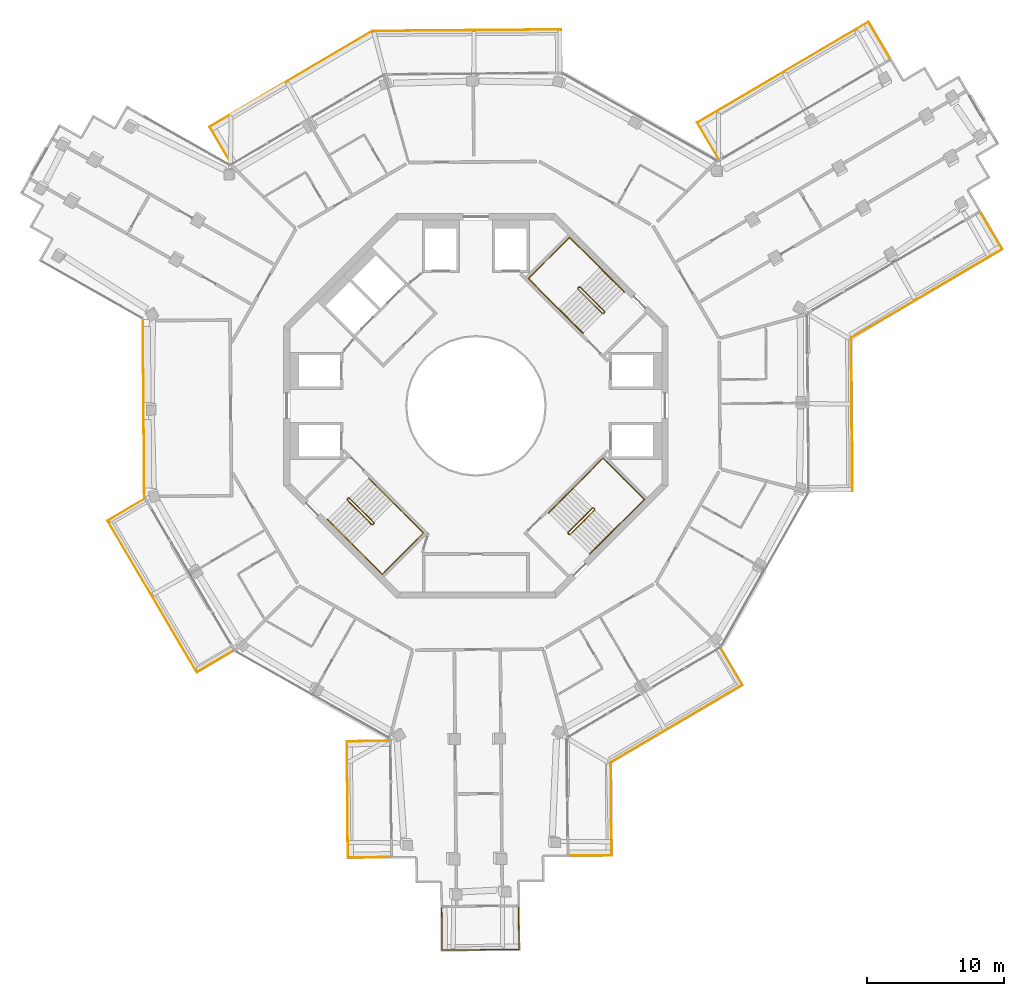
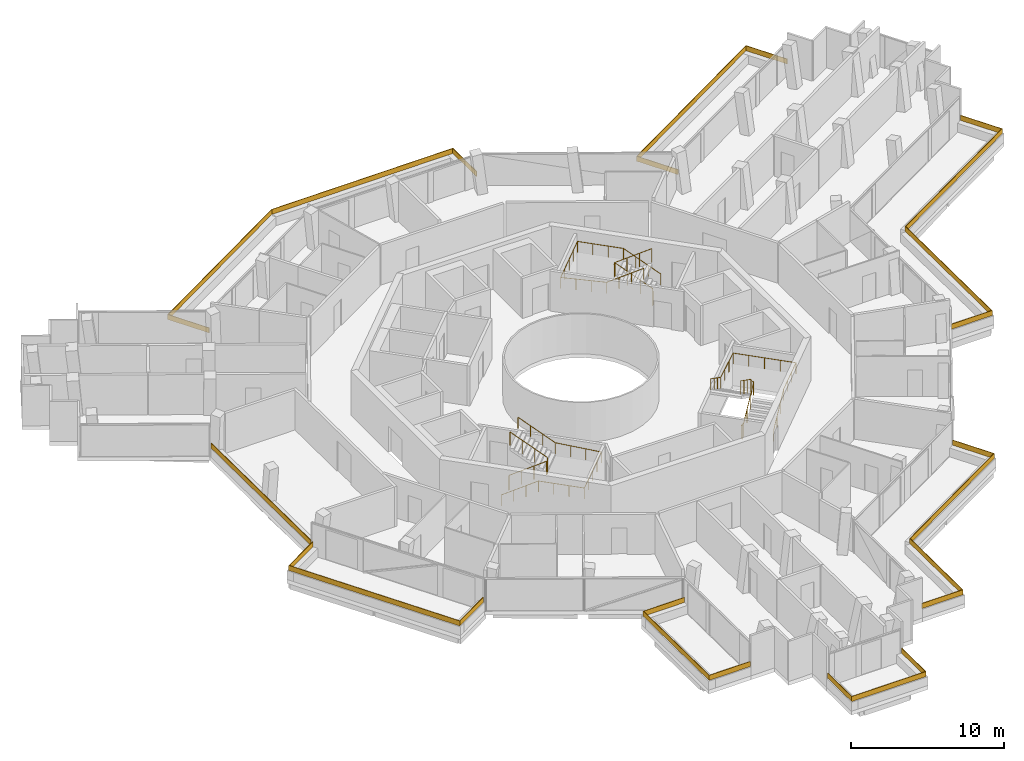
# One storey, part 26 of 26: 14 railings.
"""IFC4 building model written with IfcOpenShell, lengths in metres."""

from ifc_helpers import new_model, si_unit, direction, frame, origin, origin_2d, place, context, subcontext, project, spatial, polyline, rectangle, circle, outline, extrude, material, layer, layer_set, type_object, element, save


model = new_model("IFC4")

# Units and contexts
model_context = context("Model", 3, precision=1e-05, world=origin(), true_north=direction((0.0, 1.0)))
body_context = subcontext(model_context, "Body", "Model", "MODEL_VIEW")
ifc_project = project(units=[si_unit("LENGTHUNIT", "METRE"), si_unit("AREAUNIT", "SQUARE_METRE"), si_unit("VOLUMEUNIT", "CUBIC_METRE"), si_unit("PLANEANGLEUNIT", "RADIAN"), si_unit("MASSUNIT", "GRAM", prefix="KILO")], contexts=[model_context])

# Site, building, storey
site_placement = place(None, origin())
site = spatial("IfcSite", under=ifc_project, at=site_placement, CompositionType="ELEMENT")
building_placement = place(site_placement, origin())
building = spatial("IfcBuilding", under=site, at=building_placement, Name="Verdalira Terraces Hotel", CompositionType="ELEMENT")
storey_placement = place(building_placement, frame((0.0, 0.0, 281.0)))
storey = spatial("IfcBuildingStorey", under=building, at=storey_placement, Name="L69", CompositionType="ELEMENT", Elevation=281.0)

# Railings
ifc_material_1 = material(Name="Laminated glass", Category="glass")
ifc_layer = layer(ifc_material_1, 0.0400390625)
ifc_layer_set = layer_set([ifc_layer], Name="Balcony glass guard 400")
railing_type_1 = type_object("IfcRailingType", Name="Balcony glass guard 400", PredefinedType="GUARDRAIL", material=ifc_layer_set)
railing_1_placement = place(storey_placement, frame((0.0, 0.0, 0.699951)))
element("IfcRailing", 1, at=railing_1_placement, inside=storey, type_object=railing_type_1, Name="Balcony glass guard", PredefinedType="GUARDRAIL", context=body_context, shape_type="SweptSolid", body=[
    extrude(outline(polyline([(-26.796631, -8.368652), (-20.324219, -19.365234), (-17.670654, -17.803467), (-17.650391, -17.838135), (-20.338379, -19.420166), (-26.851318, -8.354492), (-24.16333, -6.772461), (-24.143066, -6.806885), (-26.796631, -8.368652)])), origin(), (0.0, 0.0, 1.0), 0.400146),
])
railing_2_placement = place(storey_placement, frame((0.0, 0.0, 0.699951)))
element("IfcRailing", 2, at=railing_2_placement, inside=storey, type_object=railing_type_1, Name="Balcony glass guard", PredefinedType="GUARDRAIL", context=body_context, shape_type="SweptSolid", body=[
    extrude(outline(polyline([(-9.375488, -24.457764), (-9.304932, -32.877441), (-6.226074, -32.851807), (-6.225586, -32.891846), (-9.344482, -32.917969), (-9.415771, -24.417969), (-6.296875, -24.391846), (-6.296631, -24.431885), (-9.375488, -24.457764)])), origin(), (0.0, 0.0, 1.0), 0.400146),
])
railing_3_placement = place(storey_placement, frame((0.0, 0.0, 0.699951)))
element("IfcRailing", 3, at=railing_3_placement, inside=storey, type_object=railing_type_1, Name="Balcony glass guard", PredefinedType="GUARDRAIL", context=body_context, shape_type="SweptSolid", body=[
    extrude(outline(polyline([(-2.448242, -39.620361), (3.111572, -39.57373), (3.085938, -36.494873), (3.125732, -36.494629), (3.151855, -39.613525), (-2.487793, -39.660645), (-2.513916, -36.541748), (-2.473877, -36.541504), (-2.448242, -39.620361)])), origin(), (0.0, 0.0, 1.0), 0.400146),
])
railing_4_placement = place(storey_placement, frame((0.0, 0.0, 0.699951)))
element("IfcRailing", 4, at=railing_4_placement, inside=storey, type_object=railing_type_1, Name="Balcony glass guard", PredefinedType="GUARDRAIL", context=body_context, shape_type="SweptSolid", body=[
    extrude(outline(polyline([(9.854492, -32.717041), (9.797852, -25.955322), (19.365234, -20.324219), (17.803467, -17.670654), (17.838135, -17.650391), (19.420166, -20.338379), (9.837891, -25.978271), (9.894775, -32.756592), (6.775879, -32.782715), (6.775635, -32.74292), (9.854492, -32.717041)])), origin(), (0.0, 0.0, 1.0), 0.400146),
])
railing_5_placement = place(storey_placement, frame((0.0, 0.0, 0.699951)))
element("IfcRailing", 5, at=railing_5_placement, inside=storey, type_object=railing_type_1, Name="Balcony glass guard", PredefinedType="GUARDRAIL", context=body_context, shape_type="SweptSolid", body=[
    extrude(outline(polyline([(27.390869, -6.150635), (27.297852, 4.950684), (38.296143, 11.423828), (36.734375, 14.077393), (36.768799, 14.097656), (38.35083, 11.409668), (27.337891, 4.927979), (27.431152, -6.19043), (24.312256, -6.216553), (24.312012, -6.176514), (27.390869, -6.150635)])), origin(), (0.0, 0.0, 1.0), 0.400146),
])
railing_6_placement = place(storey_placement, frame((0.0, 0.0, 0.699951)))
element("IfcRailing", 6, at=railing_6_placement, inside=storey, type_object=railing_type_1, Name="Balcony glass guard", PredefinedType="GUARDRAIL", context=body_context, shape_type="SweptSolid", body=[
    extrude(outline(polyline([(28.577393, 27.936035), (16.150146, 20.621826), (17.711914, 17.968262), (17.67749, 17.947998), (16.095215, 20.635986), (28.591553, 27.990967), (30.173584, 25.302979), (30.13916, 25.282715), (28.577393, 27.936035)])), origin(), (0.0, 0.0, 1.0), 0.400146),
])
railing_7_placement = place(storey_placement, frame((0.0, 0.0, 0.699951)))
element("IfcRailing", 7, at=railing_7_placement, inside=storey, type_object=railing_type_1, Name="Balcony glass guard", PredefinedType="GUARDRAIL", context=body_context, shape_type="SweptSolid", body=[
    extrude(outline(polyline([(6.150635, 27.390869), (-7.553955, 27.276123), (-19.365234, 20.324219), (-17.803467, 17.670654), (-17.838135, 17.650391), (-19.420166, 20.338379), (-7.565186, 27.315918), (6.19043, 27.431152), (6.216553, 24.312256), (6.176514, 24.312012), (6.150635, 27.390869)])), origin(), (0.0, 0.0, 1.0), 0.400146),
])
railing_8_placement = place(storey_placement, frame((-24.20752, -0.202881, 0.699951), z_axis=(0.0, 0.0, 1.0), x_axis=(0.008377482, -0.999964908, 0.0)))
element("IfcRailing", 8, at=railing_8_placement, inside=storey, type_object=railing_type_1, Name="Loggia glass guard", PredefinedType="GUARDRAIL", context=body_context, shape_type="SweptSolid", body=[
    extrude(rectangle(XDim=12.840088, YDim=0.040039, at=origin_2d()), origin(), (0.0, 0.0, 1.0), 0.399902),
])
ifc_material_2 = material(Name="Stainless steel", Category="steel")
railing_type_2 = type_object("IfcRailingType", Name="Stair guard 1100", PredefinedType="GUARDRAIL", material=ifc_material_2)
railing_9_placement = place(storey_placement, frame((9.369141, 6.78833, 0.0)))
element("IfcRailing", 9, at=railing_9_placement, inside=storey, type_object=railing_type_2, Name="L69 ST1 stair guard 1", PredefinedType="GUARDRAIL", context=body_context, shape_type="SweptSolid", body=[
    extrude(circle(Radius=0.023926, at=origin_2d()), frame((0.0, 0.0, 1.076172), z_axis=(-0.707106781, -0.707106781, 0.0), x_axis=(0.707106781, -0.707106781, 0.0)), (0.0, 0.0, 1.0), 0.100098),
    extrude(circle(Radius=0.023926, at=origin_2d()), frame((-0.070801, -0.070801, 1.076172), z_axis=(0.300162975, 0.599290904, 0.742127078), x_axis=(-0.894118129, 0.447831187, 0.0)), (0.0, 0.0, 1.0), 0.23584),
    extrude(circle(Radius=0.023926, at=origin_2d()), frame((0.0, 0.070557, 1.250977), z_axis=(-0.599637504, 0.599637504, 0.52997144), x_axis=(-0.707106781, -0.707106781, 0.0)), (0.0, 0.0, 1.0), 2.97168),
    extrude(circle(Radius=0.023926, at=origin_2d()), frame((-1.781982, 1.852539, 2.826172), z_axis=(-1.0, 0.0, 0.0), x_axis=(0.0, -1.0, 0.0)), (0.0, 0.0, 1.0), 0.070557),
    extrude(circle(Radius=0.023926, at=origin_2d()), frame((-1.852539, 1.852539, 2.826172), z_axis=(-0.707106781, -0.707106781, 0.0), x_axis=(0.707106781, -0.707106781, 0.0)), (0.0, 0.0, 1.0), 0.100098),
    extrude(circle(Radius=0.023926, at=origin_2d()), frame((-1.92334, 1.781738, 2.826172), z_axis=(0.0, -0.373842709, 0.927492118), x_axis=(1.0, 0.0, 0.0)), (0.0, 0.0, 1.0), 0.188721),
    extrude(circle(Radius=0.023926, at=origin_2d()), frame((-1.92334, 1.711182, 3.000977), z_axis=(0.599637504, -0.599637504, 0.52997144), x_axis=(0.707106781, 0.707106781, 0.0)), (0.0, 0.0, 1.0), 2.97168),
    extrude(circle(Radius=0.020996, at=origin_2d()), origin(), (0.0, 0.0, 1.0), 1.052002),
    extrude(circle(Radius=0.020996, at=origin_2d()), frame((-0.070801, -0.070801, 0.0)), (0.0, 0.0, 1.0), 1.052002),
    extrude(circle(Radius=0.020996, at=origin_2d()), frame((0.0, 0.070557, 0.175049)), (0.0, 0.0, 1.0), 1.052002),
    extrude(circle(Radius=0.020996, at=origin_2d()), frame((-0.593994, 0.664551, 0.699951)), (0.0, 0.0, 1.0), 1.052002),
    extrude(circle(Radius=0.020996, at=origin_2d()), frame((-1.187988, 1.258545, 1.225098)), (0.0, 0.0, 1.0), 1.052002),
    extrude(circle(Radius=0.020996, at=origin_2d()), frame((-1.781982, 1.852539, 1.75)), (0.0, 0.0, 1.0), 1.052002),
    extrude(circle(Radius=0.020996, at=origin_2d()), frame((-1.852539, 1.852539, 1.75)), (0.0, 0.0, 1.0), 1.052002),
    extrude(circle(Radius=0.020996, at=origin_2d()), frame((-1.92334, 1.781738, 1.75)), (0.0, 0.0, 1.0), 1.052002),
    extrude(circle(Radius=0.020996, at=origin_2d()), frame((-1.92334, 1.711182, 1.925049)), (0.0, 0.0, 1.0), 1.052002),
    extrude(circle(Radius=0.020996, at=origin_2d()), frame((-1.329346, 1.117188, 2.449951)), (0.0, 0.0, 1.0), 1.052002),
    extrude(circle(Radius=0.020996, at=origin_2d()), frame((-0.735352, 0.523193, 2.975098)), (0.0, 0.0, 1.0), 1.052002),
    extrude(circle(Radius=0.020996, at=origin_2d()), frame((-0.141357, -0.070801, 3.5)), (0.0, 0.0, 1.0), 1.052002),
])
railing_10_placement = place(storey_placement, frame((-9.369141, -6.78833, 0.0)))
element("IfcRailing", 10, at=railing_10_placement, inside=storey, type_object=railing_type_2, Name="L69 ST2 stair guard 1", PredefinedType="GUARDRAIL", context=body_context, shape_type="SweptSolid", body=[
    extrude(circle(Radius=0.023926, at=origin_2d()), frame((0.0, 0.0, 1.076172), z_axis=(0.707106781, 0.707106781, 0.0), x_axis=(-0.707106781, 0.707106781, 0.0)), (0.0, 0.0, 1.0), 0.100098),
    extrude(circle(Radius=0.023926, at=origin_2d()), frame((0.070801, 0.070801, 1.076172), z_axis=(-0.300162975, -0.599290904, 0.742127078), x_axis=(0.894118129, -0.447831187, 0.0)), (0.0, 0.0, 1.0), 0.23584),
    extrude(circle(Radius=0.023926, at=origin_2d()), frame((0.0, -0.070557, 1.250977), z_axis=(0.599637504, -0.599637504, 0.52997144), x_axis=(0.707106781, 0.707106781, 0.0)), (0.0, 0.0, 1.0), 2.97168),
    extrude(circle(Radius=0.023926, at=origin_2d()), frame((1.781982, -1.852539, 2.826172), z_axis=(1.0, 0.0, 0.0), x_axis=(0.0, 1.0, 0.0)), (0.0, 0.0, 1.0), 0.070557),
    extrude(circle(Radius=0.023926, at=origin_2d()), frame((1.852539, -1.852539, 2.826172), z_axis=(0.707106781, 0.707106781, 0.0), x_axis=(-0.707106781, 0.707106781, 0.0)), (0.0, 0.0, 1.0), 0.100098),
    extrude(circle(Radius=0.023926, at=origin_2d()), frame((1.92334, -1.781738, 2.826172), z_axis=(0.0, 0.373842709, 0.927492118), x_axis=(-1.0, 0.0, 0.0)), (0.0, 0.0, 1.0), 0.188721),
    extrude(circle(Radius=0.023926, at=origin_2d()), frame((1.92334, -1.711182, 3.000977), z_axis=(-0.599637504, 0.599637504, 0.52997144), x_axis=(-0.707106781, -0.707106781, 0.0)), (0.0, 0.0, 1.0), 2.97168),
    extrude(circle(Radius=0.020996, at=origin_2d()), origin(), (0.0, 0.0, 1.0), 1.052002),
    extrude(circle(Radius=0.020996, at=origin_2d()), frame((0.070801, 0.070801, 0.0)), (0.0, 0.0, 1.0), 1.052002),
    extrude(circle(Radius=0.020996, at=origin_2d()), frame((0.0, -0.070557, 0.175049)), (0.0, 0.0, 1.0), 1.052002),
    extrude(circle(Radius=0.020996, at=origin_2d()), frame((0.593994, -0.664551, 0.699951)), (0.0, 0.0, 1.0), 1.052002),
    extrude(circle(Radius=0.020996, at=origin_2d()), frame((1.187988, -1.258545, 1.225098)), (0.0, 0.0, 1.0), 1.052002),
    extrude(circle(Radius=0.020996, at=origin_2d()), frame((1.781982, -1.852539, 1.75)), (0.0, 0.0, 1.0), 1.052002),
    extrude(circle(Radius=0.020996, at=origin_2d()), frame((1.852539, -1.852539, 1.75)), (0.0, 0.0, 1.0), 1.052002),
    extrude(circle(Radius=0.020996, at=origin_2d()), frame((1.92334, -1.781738, 1.75)), (0.0, 0.0, 1.0), 1.052002),
    extrude(circle(Radius=0.020996, at=origin_2d()), frame((1.92334, -1.711182, 1.925049)), (0.0, 0.0, 1.0), 1.052002),
    extrude(circle(Radius=0.020996, at=origin_2d()), frame((1.329346, -1.117188, 2.449951)), (0.0, 0.0, 1.0), 1.052002),
    extrude(circle(Radius=0.020996, at=origin_2d()), frame((0.735352, -0.523193, 2.975098)), (0.0, 0.0, 1.0), 1.052002),
    extrude(circle(Radius=0.020996, at=origin_2d()), frame((0.141357, 0.070801, 3.5)), (0.0, 0.0, 1.0), 1.052002),
])
railing_11_placement = place(storey_placement, frame((6.78833, -9.369141, 0.0)))
element("IfcRailing", 11, at=railing_11_placement, inside=storey, type_object=railing_type_2, Name="L69 ST3 stair guard 1", PredefinedType="GUARDRAIL", context=body_context, shape_type="SweptSolid", body=[
    extrude(circle(Radius=0.023926, at=origin_2d()), frame((0.0, 0.0, 1.076172), z_axis=(-0.707106781, 0.707106781, 0.0), x_axis=(-0.707106781, -0.707106781, 0.0)), (0.0, 0.0, 1.0), 0.100098),
    extrude(circle(Radius=0.023926, at=origin_2d()), frame((-0.070801, 0.070801, 1.076172), z_axis=(0.599290904, -0.300162975, 0.742127078), x_axis=(0.447831187, 0.894118129, 0.0)), (0.0, 0.0, 1.0), 0.23584),
    extrude(circle(Radius=0.023926, at=origin_2d()), frame((0.070557, 0.0, 1.250977), z_axis=(0.599637504, 0.599637504, 0.52997144), x_axis=(-0.707106781, 0.707106781, 0.0)), (0.0, 0.0, 1.0), 2.97168),
    extrude(circle(Radius=0.023926, at=origin_2d()), frame((1.852539, 1.781982, 2.826172), z_axis=(0.0, 1.0, 0.0), x_axis=(-1.0, 0.0, 0.0)), (0.0, 0.0, 1.0), 0.070557),
    extrude(circle(Radius=0.023926, at=origin_2d()), frame((1.852539, 1.852539, 2.826172), z_axis=(-0.707106781, 0.707106781, 0.0), x_axis=(-0.707106781, -0.707106781, 0.0)), (0.0, 0.0, 1.0), 0.100098),
    extrude(circle(Radius=0.023926, at=origin_2d()), frame((1.781738, 1.92334, 2.826172), z_axis=(-0.373842709, 0.0, 0.927492118), x_axis=(0.0, -1.0, 0.0)), (0.0, 0.0, 1.0), 0.188721),
    extrude(circle(Radius=0.023926, at=origin_2d()), frame((1.711182, 1.92334, 3.000977), z_axis=(-0.599637504, -0.599637504, 0.52997144), x_axis=(0.707106781, -0.707106781, 0.0)), (0.0, 0.0, 1.0), 2.97168),
    extrude(circle(Radius=0.020996, at=origin_2d()), origin(), (0.0, 0.0, 1.0), 1.052002),
    extrude(circle(Radius=0.020996, at=origin_2d()), frame((-0.070801, 0.070801, 0.0)), (0.0, 0.0, 1.0), 1.052002),
    extrude(circle(Radius=0.020996, at=origin_2d()), frame((0.070557, 0.0, 0.175049)), (0.0, 0.0, 1.0), 1.052002),
    extrude(circle(Radius=0.020996, at=origin_2d()), frame((0.664551, 0.593994, 0.699951)), (0.0, 0.0, 1.0), 1.052002),
    extrude(circle(Radius=0.020996, at=origin_2d()), frame((1.258545, 1.187988, 1.225098)), (0.0, 0.0, 1.0), 1.052002),
    extrude(circle(Radius=0.020996, at=origin_2d()), frame((1.852539, 1.781982, 1.75)), (0.0, 0.0, 1.0), 1.052002),
    extrude(circle(Radius=0.020996, at=origin_2d()), frame((1.852539, 1.852539, 1.75)), (0.0, 0.0, 1.0), 1.052002),
    extrude(circle(Radius=0.020996, at=origin_2d()), frame((1.781738, 1.92334, 1.75)), (0.0, 0.0, 1.0), 1.052002),
    extrude(circle(Radius=0.020996, at=origin_2d()), frame((1.711182, 1.92334, 1.925049)), (0.0, 0.0, 1.0), 1.052002),
    extrude(circle(Radius=0.020996, at=origin_2d()), frame((1.117188, 1.329346, 2.449951)), (0.0, 0.0, 1.0), 1.052002),
    extrude(circle(Radius=0.020996, at=origin_2d()), frame((0.523193, 0.735352, 2.975098)), (0.0, 0.0, 1.0), 1.052002),
    extrude(circle(Radius=0.020996, at=origin_2d()), frame((-0.070801, 0.141357, 3.5)), (0.0, 0.0, 1.0), 1.052002),
])
ifc_material_3 = material(Name="Stainless steel", Category="steel")
railing_type_3 = type_object("IfcRailingType", Name="Stair handrail 900", PredefinedType="HANDRAIL", material=ifc_material_3)
railing_12_placement = place(storey_placement, frame((10.801025, 8.290771, 0.175049)))
element("IfcRailing", 12, at=railing_12_placement, inside=storey, type_object=railing_type_3, Name="L69 ST1 stair handrail 1", PredefinedType="HANDRAIL", context=body_context, shape_type="SweptSolid", body=[
    extrude(circle(Radius=0.023926, at=origin_2d()), frame((0.0, 0.0, 0.875977), z_axis=(-0.599637504, 0.599637504, 0.52997144), x_axis=(-0.707106781, -0.707106781, 0.0)), (0.0, 0.0, 1.0), 2.97168),
    extrude(circle(Radius=0.023926, at=origin_2d()), frame((-1.781982, 1.781982, 2.450684), z_axis=(-0.707106781, 0.707106781, 0.0), x_axis=(-0.707106781, -0.707106781, 0.0)), (0.0, 0.0, 1.0), 3.10498),
    extrude(circle(Radius=0.023926, at=origin_2d()), frame((-3.977539, 3.977539, 2.450684), z_axis=(-0.707106781, -0.707106781, 0.0), x_axis=(0.707106781, -0.707106781, 0.0)), (0.0, 0.0, 1.0), 4.25),
    extrude(circle(Radius=0.023926, at=origin_2d()), frame((-6.982666, 0.972412, 2.450684), z_axis=(0.705985743, -0.705985743, 0.05628731), x_axis=(0.707106781, 0.707106781, 0.0)), (0.0, 0.0, 1.0), 3.109863),
    extrude(circle(Radius=0.023926, at=origin_2d()), frame((-4.787109, -1.223145, 2.625977), z_axis=(0.599637504, -0.599637504, 0.52997144), x_axis=(0.707106781, 0.707106781, 0.0)), (0.0, 0.0, 1.0), 2.97168),
    extrude(circle(Radius=0.020996, at=origin_2d()), origin(), (0.0, 0.0, 1.0), 0.851807),
    extrude(circle(Radius=0.020996, at=origin_2d()), frame((-0.593994, 0.593994, 0.524902)), (0.0, 0.0, 1.0), 0.851807),
    extrude(circle(Radius=0.020996, at=origin_2d()), frame((-1.187988, 1.187988, 1.050049)), (0.0, 0.0, 1.0), 0.851807),
    extrude(circle(Radius=0.020996, at=origin_2d()), frame((-1.781982, 1.781982, 1.574951)), (0.0, 0.0, 1.0), 0.851807),
    extrude(circle(Radius=0.020996, at=origin_2d()), frame((-2.513916, 2.513916, 1.574951)), (0.0, 0.0, 1.0), 0.851807),
    extrude(circle(Radius=0.020996, at=origin_2d()), frame((-3.245605, 3.245605, 1.574951)), (0.0, 0.0, 1.0), 0.851807),
    extrude(circle(Radius=0.020996, at=origin_2d()), frame((-3.977539, 3.977539, 1.574951)), (0.0, 0.0, 1.0), 0.851807),
    extrude(circle(Radius=0.020996, at=origin_2d()), frame((-4.72876, 3.226318, 1.574951)), (0.0, 0.0, 1.0), 0.851807),
    extrude(circle(Radius=0.020996, at=origin_2d()), frame((-5.47998, 2.475098, 1.574951)), (0.0, 0.0, 1.0), 0.851807),
    extrude(circle(Radius=0.020996, at=origin_2d()), frame((-6.231445, 1.723633, 1.574951)), (0.0, 0.0, 1.0), 0.851807),
    extrude(circle(Radius=0.020996, at=origin_2d()), frame((-6.982666, 0.972412, 1.574951)), (0.0, 0.0, 1.0), 0.851807),
    extrude(circle(Radius=0.020996, at=origin_2d()), frame((-6.250732, 0.240479, 1.633301)), (0.0, 0.0, 1.0), 0.851807),
    extrude(circle(Radius=0.020996, at=origin_2d()), frame((-5.519043, -0.491211, 1.69165)), (0.0, 0.0, 1.0), 0.851807),
    extrude(circle(Radius=0.020996, at=origin_2d()), frame((-4.787109, -1.223145, 1.75)), (0.0, 0.0, 1.0), 0.851807),
    extrude(circle(Radius=0.020996, at=origin_2d()), frame((-4.193115, -1.817139, 2.274902)), (0.0, 0.0, 1.0), 0.851807),
    extrude(circle(Radius=0.020996, at=origin_2d()), frame((-3.599121, -2.411133, 2.800049)), (0.0, 0.0, 1.0), 0.851807),
    extrude(circle(Radius=0.020996, at=origin_2d()), frame((-3.005127, -3.005127, 3.324951)), (0.0, 0.0, 1.0), 0.851807),
])
railing_13_placement = place(storey_placement, frame((-10.801025, -8.290771, 0.175049)))
element("IfcRailing", 13, at=railing_13_placement, inside=storey, type_object=railing_type_3, Name="L69 ST2 stair handrail 1", PredefinedType="HANDRAIL", context=body_context, shape_type="SweptSolid", body=[
    extrude(circle(Radius=0.023926, at=origin_2d()), frame((0.0, 0.0, 0.875977), z_axis=(0.599637504, -0.599637504, 0.52997144), x_axis=(0.707106781, 0.707106781, 0.0)), (0.0, 0.0, 1.0), 2.97168),
    extrude(circle(Radius=0.023926, at=origin_2d()), frame((1.781982, -1.781982, 2.450684), z_axis=(0.707106781, -0.707106781, 0.0), x_axis=(0.707106781, 0.707106781, 0.0)), (0.0, 0.0, 1.0), 3.10498),
    extrude(circle(Radius=0.023926, at=origin_2d()), frame((3.977539, -3.977539, 2.450684), z_axis=(0.707106781, 0.707106781, 0.0), x_axis=(-0.707106781, 0.707106781, 0.0)), (0.0, 0.0, 1.0), 4.25),
    extrude(circle(Radius=0.023926, at=origin_2d()), frame((6.982666, -0.972412, 2.450684), z_axis=(-0.705985743, 0.705985743, 0.05628731), x_axis=(-0.707106781, -0.707106781, 0.0)), (0.0, 0.0, 1.0), 3.109863),
    extrude(circle(Radius=0.023926, at=origin_2d()), frame((4.787109, 1.223145, 2.625977), z_axis=(-0.599637504, 0.599637504, 0.52997144), x_axis=(-0.707106781, -0.707106781, 0.0)), (0.0, 0.0, 1.0), 2.97168),
    extrude(circle(Radius=0.020996, at=origin_2d()), origin(), (0.0, 0.0, 1.0), 0.851807),
    extrude(circle(Radius=0.020996, at=origin_2d()), frame((0.593994, -0.593994, 0.524902)), (0.0, 0.0, 1.0), 0.851807),
    extrude(circle(Radius=0.020996, at=origin_2d()), frame((1.187988, -1.187988, 1.050049)), (0.0, 0.0, 1.0), 0.851807),
    extrude(circle(Radius=0.020996, at=origin_2d()), frame((1.781982, -1.781982, 1.574951)), (0.0, 0.0, 1.0), 0.851807),
    extrude(circle(Radius=0.020996, at=origin_2d()), frame((2.513916, -2.513916, 1.574951)), (0.0, 0.0, 1.0), 0.851807),
    extrude(circle(Radius=0.020996, at=origin_2d()), frame((3.245605, -3.245605, 1.574951)), (0.0, 0.0, 1.0), 0.851807),
    extrude(circle(Radius=0.020996, at=origin_2d()), frame((3.977539, -3.977539, 1.574951)), (0.0, 0.0, 1.0), 0.851807),
    extrude(circle(Radius=0.020996, at=origin_2d()), frame((4.72876, -3.226318, 1.574951)), (0.0, 0.0, 1.0), 0.851807),
    extrude(circle(Radius=0.020996, at=origin_2d()), frame((5.47998, -2.475098, 1.574951)), (0.0, 0.0, 1.0), 0.851807),
    extrude(circle(Radius=0.020996, at=origin_2d()), frame((6.231445, -1.723633, 1.574951)), (0.0, 0.0, 1.0), 0.851807),
    extrude(circle(Radius=0.020996, at=origin_2d()), frame((6.982666, -0.972412, 1.574951)), (0.0, 0.0, 1.0), 0.851807),
    extrude(circle(Radius=0.020996, at=origin_2d()), frame((6.250732, -0.240479, 1.633301)), (0.0, 0.0, 1.0), 0.851807),
    extrude(circle(Radius=0.020996, at=origin_2d()), frame((5.519043, 0.491211, 1.69165)), (0.0, 0.0, 1.0), 0.851807),
    extrude(circle(Radius=0.020996, at=origin_2d()), frame((4.787109, 1.223145, 1.75)), (0.0, 0.0, 1.0), 0.851807),
    extrude(circle(Radius=0.020996, at=origin_2d()), frame((4.193115, 1.817139, 2.274902)), (0.0, 0.0, 1.0), 0.851807),
    extrude(circle(Radius=0.020996, at=origin_2d()), frame((3.599121, 2.411133, 2.800049)), (0.0, 0.0, 1.0), 0.851807),
    extrude(circle(Radius=0.020996, at=origin_2d()), frame((3.005127, 3.005127, 3.324951)), (0.0, 0.0, 1.0), 0.851807),
])
railing_14_placement = place(storey_placement, frame((8.290771, -10.801025, 0.175049)))
element("IfcRailing", 14, at=railing_14_placement, inside=storey, type_object=railing_type_3, Name="L69 ST3 stair handrail 1", PredefinedType="HANDRAIL", context=body_context, shape_type="SweptSolid", body=[
    extrude(circle(Radius=0.023926, at=origin_2d()), frame((0.0, 0.0, 0.875977), z_axis=(0.599637504, 0.599637504, 0.52997144), x_axis=(-0.707106781, 0.707106781, 0.0)), (0.0, 0.0, 1.0), 2.97168),
    extrude(circle(Radius=0.023926, at=origin_2d()), frame((1.781982, 1.781982, 2.450684), z_axis=(0.707106781, 0.707106781, 0.0), x_axis=(-0.707106781, 0.707106781, 0.0)), (0.0, 0.0, 1.0), 3.10498),
    extrude(circle(Radius=0.023926, at=origin_2d()), frame((3.977539, 3.977539, 2.450684), z_axis=(-0.707106781, 0.707106781, 0.0), x_axis=(-0.707106781, -0.707106781, 0.0)), (0.0, 0.0, 1.0), 4.25),
    extrude(circle(Radius=0.023926, at=origin_2d()), frame((0.972412, 6.982666, 2.450684), z_axis=(-0.705985743, -0.705985743, 0.05628731), x_axis=(0.707106781, -0.707106781, 0.0)), (0.0, 0.0, 1.0), 3.109863),
    extrude(circle(Radius=0.023926, at=origin_2d()), frame((-1.223145, 4.787109, 2.625977), z_axis=(-0.599637504, -0.599637504, 0.52997144), x_axis=(0.707106781, -0.707106781, 0.0)), (0.0, 0.0, 1.0), 2.97168),
    extrude(circle(Radius=0.020996, at=origin_2d()), origin(), (0.0, 0.0, 1.0), 0.851807),
    extrude(circle(Radius=0.020996, at=origin_2d()), frame((0.593994, 0.593994, 0.524902)), (0.0, 0.0, 1.0), 0.851807),
    extrude(circle(Radius=0.020996, at=origin_2d()), frame((1.187988, 1.187988, 1.050049)), (0.0, 0.0, 1.0), 0.851807),
    extrude(circle(Radius=0.020996, at=origin_2d()), frame((1.781982, 1.781982, 1.574951)), (0.0, 0.0, 1.0), 0.851807),
    extrude(circle(Radius=0.020996, at=origin_2d()), frame((2.513916, 2.513916, 1.574951)), (0.0, 0.0, 1.0), 0.851807),
    extrude(circle(Radius=0.020996, at=origin_2d()), frame((3.245605, 3.245605, 1.574951)), (0.0, 0.0, 1.0), 0.851807),
    extrude(circle(Radius=0.020996, at=origin_2d()), frame((3.977539, 3.977539, 1.574951)), (0.0, 0.0, 1.0), 0.851807),
    extrude(circle(Radius=0.020996, at=origin_2d()), frame((3.226318, 4.72876, 1.574951)), (0.0, 0.0, 1.0), 0.851807),
    extrude(circle(Radius=0.020996, at=origin_2d()), frame((2.475098, 5.47998, 1.574951)), (0.0, 0.0, 1.0), 0.851807),
    extrude(circle(Radius=0.020996, at=origin_2d()), frame((1.723633, 6.231445, 1.574951)), (0.0, 0.0, 1.0), 0.851807),
    extrude(circle(Radius=0.020996, at=origin_2d()), frame((0.972412, 6.982666, 1.574951)), (0.0, 0.0, 1.0), 0.851807),
    extrude(circle(Radius=0.020996, at=origin_2d()), frame((0.240479, 6.250732, 1.633301)), (0.0, 0.0, 1.0), 0.851807),
    extrude(circle(Radius=0.020996, at=origin_2d()), frame((-0.491211, 5.519043, 1.69165)), (0.0, 0.0, 1.0), 0.851807),
    extrude(circle(Radius=0.020996, at=origin_2d()), frame((-1.223145, 4.787109, 1.75)), (0.0, 0.0, 1.0), 0.851807),
    extrude(circle(Radius=0.020996, at=origin_2d()), frame((-1.817139, 4.193115, 2.274902)), (0.0, 0.0, 1.0), 0.851807),
    extrude(circle(Radius=0.020996, at=origin_2d()), frame((-2.411133, 3.599121, 2.800049)), (0.0, 0.0, 1.0), 0.851807),
    extrude(circle(Radius=0.020996, at=origin_2d()), frame((-3.005127, 3.005127, 3.324951)), (0.0, 0.0, 1.0), 0.851807),
])

save(model, "model.ifc")
